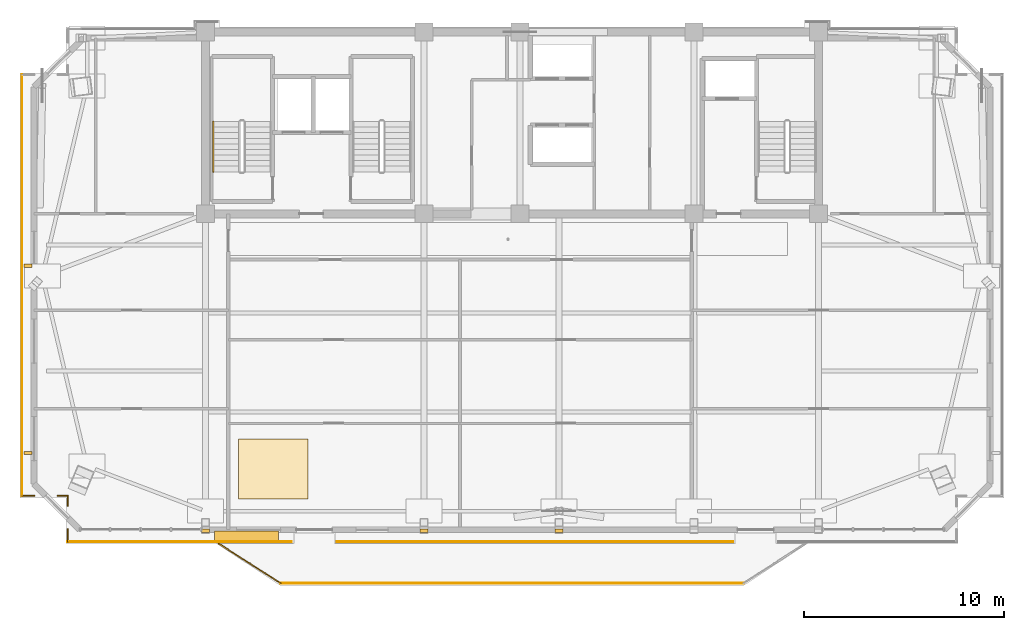
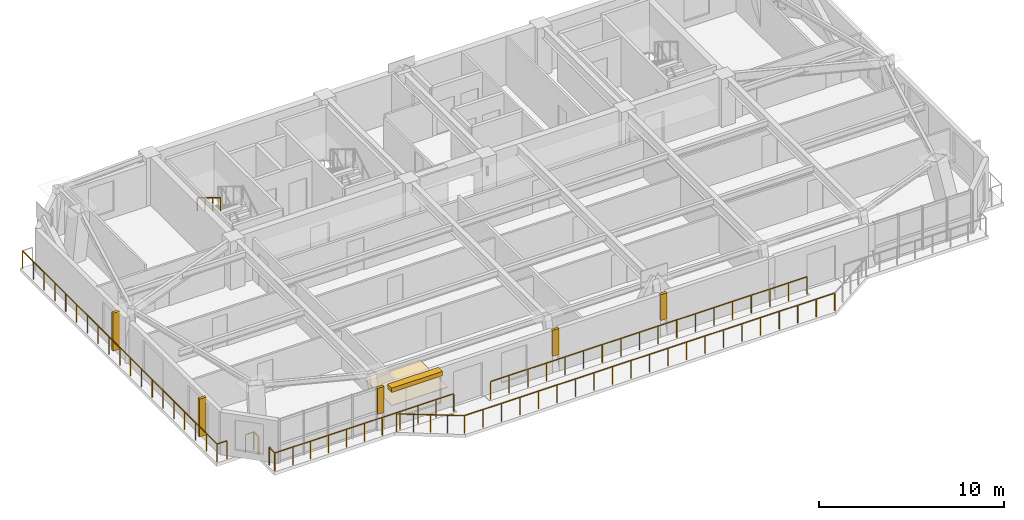
# One storey, part 10 of 13: 10 railings, 4 coverings, 3 shading devices.
"""IFC4 building model written with IfcOpenShell, lengths in metres."""

from ifc_helpers import new_model, si_unit, direction, frame, origin, origin_2d, place, context, subcontext, project, spatial, polyline, rectangle, outline, extrude, source, transform, mapped, material, layer, layer_set, type_object, element, save


model = new_model("IFC4")

# Units and contexts
model_context = context("Model", 3, precision=1e-05, world=origin(), true_north=direction((0.0, 1.0)))
body_context = subcontext(model_context, "Body", "Model", "MODEL_VIEW")
ifc_project = project(units=[si_unit("LENGTHUNIT", "METRE"), si_unit("AREAUNIT", "SQUARE_METRE"), si_unit("VOLUMEUNIT", "CUBIC_METRE"), si_unit("PLANEANGLEUNIT", "RADIAN"), si_unit("MASSUNIT", "GRAM", prefix="KILO")], contexts=[model_context])

# Site, building, storey
site_placement = place(None, origin())
site = spatial("IfcSite", under=ifc_project, at=site_placement, CompositionType="ELEMENT")
building_placement = place(site_placement, origin())
building = spatial("IfcBuilding", under=site, at=building_placement, Name="Giltprow Tower", CompositionType="ELEMENT")
storey_placement = place(building_placement, frame((0.0, 0.0, 332.300048828125)))
storey = spatial("IfcBuildingStorey", under=building, at=storey_placement, Name="L86", CompositionType="ELEMENT", Elevation=332.300048828125)

# Coverings
ifc_material_1 = material(Name="Engineered oak", Category="wood")
ifc_layer_1 = layer(ifc_material_1, 0.02490234375, Name="Engineered oak")
ifc_layer_set_1 = layer_set([ifc_layer_1], Name="Engineered oak")
covering_type_1 = type_object("IfcCoveringType", Name="COV-FLR-TIMBER", PredefinedType="FLOORING", material=ifc_layer_set_1)
covering_1_placement = place(storey_placement, origin())
element("IfcCovering", 1, at=covering_1_placement, inside=storey, type_object=covering_type_1, Name="L86 Residence Oak Parquet Flooring", PredefinedType="FLOORING", context=body_context, shape_type="SweptSolid", body=[
    extrude(outline(polyline([(21.5, 23.16796875), (25.0, 23.16796875), (25.0, 26.16796875), (21.5, 26.16796875), (21.5, 23.16796875)])), origin(), (0.0, 0.0, 1.0), 0.02490234375),
])
ifc_material_2 = material(Name="Anodized bronze", Category="metal")
ifc_layer_2 = layer(ifc_material_2, 0.0400390625, Name="Anodized bronze")
ifc_layer_set_2 = layer_set([ifc_layer_2], Name="Anodized bronze")
covering_type_2 = type_object("IfcCoveringType", Name="COV-SOFFIT-BRONZE", PredefinedType="CLADDING", material=ifc_layer_set_2)
covering_2_placement = place(storey_placement, frame((0.0, 0.0, 1.099853515625)))
element("IfcCovering", 2, at=covering_2_placement, inside=storey, type_object=covering_type_2, Name="L86 Setback Pier Closure Cladding S-1", PredefinedType="CLADDING", context=body_context, shape_type="SweptSolid", body=[
    extrude(outline(polyline([(19.64990234375, 21.49609375), (20.050048828125, 21.49609375), (20.050048828125, 21.656005859375), (19.64990234375, 21.656005859375), (19.64990234375, 21.49609375)])), origin(), (0.0, 0.0, 1.0), 1.715087890625),
])
covering_3_placement = place(storey_placement, frame((0.0, 0.0, 1.099853515625)))
element("IfcCovering", 3, at=covering_3_placement, inside=storey, type_object=covering_type_2, Name="L86 Setback Pier Closure Cladding S-2", PredefinedType="CLADDING", context=body_context, shape_type="SweptSolid", body=[
    extrude(outline(polyline([(30.60009765625, 21.49609375), (31.0, 21.49609375), (31.0, 21.656005859375), (30.60009765625, 21.656005859375), (30.60009765625, 21.49609375)])), origin(), (0.0, 0.0, 1.0), 1.715087890625),
])
covering_4_placement = place(storey_placement, frame((0.0, 0.0, 1.099853515625)))
element("IfcCovering", 4, at=covering_4_placement, inside=storey, type_object=covering_type_2, Name="L86 Setback Pier Closure Cladding S-3", PredefinedType="CLADDING", context=body_context, shape_type="SweptSolid", body=[
    extrude(outline(polyline([(37.35009765625, 21.49609375), (37.75, 21.49609375), (37.75, 21.656005859375), (37.35009765625, 21.656005859375), (37.35009765625, 21.49609375)])), origin(), (0.0, 0.0, 1.0), 1.715087890625),
])

# Railings
railing_type_1 = type_object("IfcRailingType", Name="RAIL-BALC-GUARD-1200", PredefinedType="BALUSTRADE", material=ifc_material_2)
railing_1_placement = place(storey_placement, frame((20.52001953125, 20.93603515625, 0.0)))
element("IfcRailing", 5, at=railing_1_placement, inside=storey, type_object=railing_type_1, Name="L86 Waterfront Balcony Balustrade Seg 1", PredefinedType="BALUSTRADE", context=body_context, shape_type="SweptSolid", body=[
    extrude(rectangle(XDim=0.048095703125, YDim=0.048095703125, at=origin_2d()), frame((0.0, 0.0, 1.17578125), z_axis=(0.84277487735, -0.538266203757, 0.0), x_axis=(0.538266203757, 0.84277487735, 0.0)), (0.0, 0.0, 1.0), 3.678466796875),
    extrude(rectangle(XDim=0.0419921875, YDim=0.0419921875, at=origin_2d()), origin(), (0.0, 0.0, 1.0), 1.15185546875),
    extrude(rectangle(XDim=0.0419921875, YDim=0.0419921875, at=origin_2d()), frame((0.77490234375, -0.4951171875, 0.0)), (0.0, 0.0, 1.0), 1.15185546875),
    extrude(rectangle(XDim=0.0419921875, YDim=0.0419921875, at=origin_2d()), frame((1.550048828125, -0.989990234375, 0.0)), (0.0, 0.0, 1.0), 1.15185546875),
    extrude(rectangle(XDim=0.0419921875, YDim=0.0419921875, at=origin_2d()), frame((2.3251953125, -1.48486328125, 0.0)), (0.0, 0.0, 1.0), 1.15185546875),
    extrude(rectangle(XDim=0.0419921875, YDim=0.0419921875, at=origin_2d()), frame((3.10009765625, -1.97998046875, 0.0)), (0.0, 0.0, 1.0), 1.15185546875),
])
railing_2_placement = place(storey_placement, frame((23.6201171875, 18.9560546875, 0.0)))
element("IfcRailing", 6, at=railing_2_placement, inside=storey, type_object=railing_type_1, Name="L86 Waterfront Balcony Balustrade Seg 2", PredefinedType="BALUSTRADE", context=body_context, shape_type="SweptSolid", body=[
    extrude(rectangle(XDim=0.048095703125, YDim=0.048095703125, at=origin_2d()), frame((0.0, 0.0, 1.17578125), z_axis=(1.0, 0.0, 0.0), x_axis=(0.0, 1.0, 0.0)), (0.0, 0.0, 1.0), 23.159912109375),
    extrude(rectangle(XDim=0.0419921875, YDim=0.0419921875, at=origin_2d()), origin(), (0.0, 0.0, 1.0), 1.15185546875),
    extrude(rectangle(XDim=0.0419921875, YDim=0.0419921875, at=origin_2d()), frame((1.157958984375, 0.0, 0.0)), (0.0, 0.0, 1.0), 1.15185546875),
    extrude(rectangle(XDim=0.0419921875, YDim=0.0419921875, at=origin_2d()), frame((2.31591796875, 0.0, 0.0)), (0.0, 0.0, 1.0), 1.15185546875),
    extrude(rectangle(XDim=0.0419921875, YDim=0.0419921875, at=origin_2d()), frame((3.473876953125, 0.0, 0.0)), (0.0, 0.0, 1.0), 1.15185546875),
    extrude(rectangle(XDim=0.0419921875, YDim=0.0419921875, at=origin_2d()), frame((4.632080078125, 0.0, 0.0)), (0.0, 0.0, 1.0), 1.15185546875),
    extrude(rectangle(XDim=0.0419921875, YDim=0.0419921875, at=origin_2d()), frame((5.7900390625, 0.0, 0.0)), (0.0, 0.0, 1.0), 1.15185546875),
    extrude(rectangle(XDim=0.0419921875, YDim=0.0419921875, at=origin_2d()), frame((6.947998046875, 0.0, 0.0)), (0.0, 0.0, 1.0), 1.15185546875),
    extrude(rectangle(XDim=0.0419921875, YDim=0.0419921875, at=origin_2d()), frame((8.10595703125, 0.0, 0.0)), (0.0, 0.0, 1.0), 1.15185546875),
    extrude(rectangle(XDim=0.0419921875, YDim=0.0419921875, at=origin_2d()), frame((9.263916015625, 0.0, 0.0)), (0.0, 0.0, 1.0), 1.15185546875),
    extrude(rectangle(XDim=0.0419921875, YDim=0.0419921875, at=origin_2d()), frame((10.421875, 0.0, 0.0)), (0.0, 0.0, 1.0), 1.15185546875),
    extrude(rectangle(XDim=0.0419921875, YDim=0.0419921875, at=origin_2d()), frame((11.580078125, 0.0, 0.0)), (0.0, 0.0, 1.0), 1.15185546875),
    extrude(rectangle(XDim=0.0419921875, YDim=0.0419921875, at=origin_2d()), frame((12.738037109375, 0.0, 0.0)), (0.0, 0.0, 1.0), 1.15185546875),
    extrude(rectangle(XDim=0.0419921875, YDim=0.0419921875, at=origin_2d()), frame((13.89599609375, 0.0, 0.0)), (0.0, 0.0, 1.0), 1.15185546875),
    extrude(rectangle(XDim=0.0419921875, YDim=0.0419921875, at=origin_2d()), frame((15.053955078125, 0.0, 0.0)), (0.0, 0.0, 1.0), 1.15185546875),
    extrude(rectangle(XDim=0.0419921875, YDim=0.0419921875, at=origin_2d()), frame((16.2119140625, 0.0, 0.0)), (0.0, 0.0, 1.0), 1.15185546875),
    extrude(rectangle(XDim=0.0419921875, YDim=0.0419921875, at=origin_2d()), frame((17.369873046875, 0.0, 0.0)), (0.0, 0.0, 1.0), 1.15185546875),
    extrude(rectangle(XDim=0.0419921875, YDim=0.0419921875, at=origin_2d()), frame((18.52783203125, 0.0, 0.0)), (0.0, 0.0, 1.0), 1.15185546875),
    extrude(rectangle(XDim=0.0419921875, YDim=0.0419921875, at=origin_2d()), frame((19.68603515625, 0.0, 0.0)), (0.0, 0.0, 1.0), 1.15185546875),
    extrude(rectangle(XDim=0.0419921875, YDim=0.0419921875, at=origin_2d()), frame((20.843994140625, 0.0, 0.0)), (0.0, 0.0, 1.0), 1.15185546875),
    extrude(rectangle(XDim=0.0419921875, YDim=0.0419921875, at=origin_2d()), frame((22.001953125, 0.0, 0.0)), (0.0, 0.0, 1.0), 1.15185546875),
    extrude(rectangle(XDim=0.0419921875, YDim=0.0419921875, at=origin_2d()), frame((23.159912109375, 0.0, 0.0)), (0.0, 0.0, 1.0), 1.15185546875),
])
railing_3_placement = place(storey_placement, frame((46.25, 21.035888671875, 0.0)))
element("IfcRailing", 7, at=railing_3_placement, inside=storey, type_object=railing_type_1, Name="L86 Corner Apron Edge Balustrade 7", PredefinedType="BALUSTRADE", context=body_context, shape_type="SweptSolid", body=[
    extrude(rectangle(XDim=0.048095703125, YDim=0.048095703125, at=origin_2d()), frame((0.0, 0.0, 1.17578125), z_axis=(-1.0, 0.0, 0.0), x_axis=(0.0, -1.0, 0.0)), (0.0, 0.0, 1.0), 19.800048828125),
    extrude(rectangle(XDim=0.0419921875, YDim=0.0419921875, at=origin_2d()), origin(), (0.0, 0.0, 1.0), 1.15185546875),
    extrude(rectangle(XDim=0.0419921875, YDim=0.0419921875, at=origin_2d()), frame((-1.164794921875, 0.0, 0.0)), (0.0, 0.0, 1.0), 1.15185546875),
    extrude(rectangle(XDim=0.0419921875, YDim=0.0419921875, at=origin_2d()), frame((-2.329345703125, 0.0, 0.0)), (0.0, 0.0, 1.0), 1.15185546875),
    extrude(rectangle(XDim=0.0419921875, YDim=0.0419921875, at=origin_2d()), frame((-3.494140625, 0.0, 0.0)), (0.0, 0.0, 1.0), 1.15185546875),
    extrude(rectangle(XDim=0.0419921875, YDim=0.0419921875, at=origin_2d()), frame((-4.658935546875, 0.0, 0.0)), (0.0, 0.0, 1.0), 1.15185546875),
    extrude(rectangle(XDim=0.0419921875, YDim=0.0419921875, at=origin_2d()), frame((-5.823486328125, 0.0, 0.0)), (0.0, 0.0, 1.0), 1.15185546875),
    extrude(rectangle(XDim=0.0419921875, YDim=0.0419921875, at=origin_2d()), frame((-6.98828125, 0.0, 0.0)), (0.0, 0.0, 1.0), 1.15185546875),
    extrude(rectangle(XDim=0.0419921875, YDim=0.0419921875, at=origin_2d()), frame((-8.153076171875, 0.0, 0.0)), (0.0, 0.0, 1.0), 1.15185546875),
    extrude(rectangle(XDim=0.0419921875, YDim=0.0419921875, at=origin_2d()), frame((-9.317626953125, 0.0, 0.0)), (0.0, 0.0, 1.0), 1.15185546875),
    extrude(rectangle(XDim=0.0419921875, YDim=0.0419921875, at=origin_2d()), frame((-10.482421875, 0.0, 0.0)), (0.0, 0.0, 1.0), 1.15185546875),
    extrude(rectangle(XDim=0.0419921875, YDim=0.0419921875, at=origin_2d()), frame((-11.64697265625, 0.0, 0.0)), (0.0, 0.0, 1.0), 1.15185546875),
    extrude(rectangle(XDim=0.0419921875, YDim=0.0419921875, at=origin_2d()), frame((-12.811767578125, 0.0, 0.0)), (0.0, 0.0, 1.0), 1.15185546875),
    extrude(rectangle(XDim=0.0419921875, YDim=0.0419921875, at=origin_2d()), frame((-13.9765625, 0.0, 0.0)), (0.0, 0.0, 1.0), 1.15185546875),
    extrude(rectangle(XDim=0.0419921875, YDim=0.0419921875, at=origin_2d()), frame((-15.14111328125, 0.0, 0.0)), (0.0, 0.0, 1.0), 1.15185546875),
    extrude(rectangle(XDim=0.0419921875, YDim=0.0419921875, at=origin_2d()), frame((-16.305908203125, 0.0, 0.0)), (0.0, 0.0, 1.0), 1.15185546875),
    extrude(rectangle(XDim=0.0419921875, YDim=0.0419921875, at=origin_2d()), frame((-17.470703125, 0.0, 0.0)), (0.0, 0.0, 1.0), 1.15185546875),
    extrude(rectangle(XDim=0.0419921875, YDim=0.0419921875, at=origin_2d()), frame((-18.63525390625, 0.0, 0.0)), (0.0, 0.0, 1.0), 1.15185546875),
    extrude(rectangle(XDim=0.0419921875, YDim=0.0419921875, at=origin_2d()), frame((-19.800048828125, 0.0, 0.0)), (0.0, 0.0, 1.0), 1.15185546875),
])
railing_4_placement = place(storey_placement, frame((24.14990234375, 21.035888671875, 0.0)))
element("IfcRailing", 8, at=railing_4_placement, inside=storey, type_object=railing_type_1, Name="L86 Corner Apron Edge Balustrade 8", PredefinedType="BALUSTRADE", context=body_context, shape_type="SweptSolid", body=[
    extrude(rectangle(XDim=0.048095703125, YDim=0.048095703125, at=origin_2d()), frame((0.0, 0.0, 1.17578125), z_axis=(-1.0, 0.0, 0.0), x_axis=(0.0, -1.0, 0.0)), (0.0, 0.0, 1.0), 11.18798828125),
    extrude(rectangle(XDim=0.0419921875, YDim=0.0419921875, at=origin_2d()), origin(), (0.0, 0.0, 1.0), 1.15185546875),
    extrude(rectangle(XDim=0.0419921875, YDim=0.0419921875, at=origin_2d()), frame((-1.118896484375, 0.0, 0.0)), (0.0, 0.0, 1.0), 1.15185546875),
    extrude(rectangle(XDim=0.0419921875, YDim=0.0419921875, at=origin_2d()), frame((-2.237548828125, 0.0, 0.0)), (0.0, 0.0, 1.0), 1.15185546875),
    extrude(rectangle(XDim=0.0419921875, YDim=0.0419921875, at=origin_2d()), frame((-3.3564453125, 0.0, 0.0)), (0.0, 0.0, 1.0), 1.15185546875),
    extrude(rectangle(XDim=0.0419921875, YDim=0.0419921875, at=origin_2d()), frame((-4.47509765625, 0.0, 0.0)), (0.0, 0.0, 1.0), 1.15185546875),
    extrude(rectangle(XDim=0.0419921875, YDim=0.0419921875, at=origin_2d()), frame((-5.593994140625, 0.0, 0.0)), (0.0, 0.0, 1.0), 1.15185546875),
    extrude(rectangle(XDim=0.0419921875, YDim=0.0419921875, at=origin_2d()), frame((-6.712890625, 0.0, 0.0)), (0.0, 0.0, 1.0), 1.15185546875),
    extrude(rectangle(XDim=0.0419921875, YDim=0.0419921875, at=origin_2d()), frame((-7.83154296875, 0.0, 0.0)), (0.0, 0.0, 1.0), 1.15185546875),
    extrude(rectangle(XDim=0.0419921875, YDim=0.0419921875, at=origin_2d()), frame((-8.950439453125, 0.0, 0.0)), (0.0, 0.0, 1.0), 1.15185546875),
    extrude(rectangle(XDim=0.0419921875, YDim=0.0419921875, at=origin_2d()), frame((-10.069091796875, 0.0, 0.0)), (0.0, 0.0, 1.0), 1.15185546875),
    extrude(rectangle(XDim=0.0419921875, YDim=0.0419921875, at=origin_2d()), frame((-11.18798828125, 0.0, 0.0)), (0.0, 0.0, 1.0), 1.15185546875),
])
railing_5_placement = place(storey_placement, frame((12.9619140625, 21.035888671875, 0.0)))
element("IfcRailing", 9, at=railing_5_placement, inside=storey, type_object=railing_type_1, Name="L86 Corner Apron Edge Balustrade 9", PredefinedType="BALUSTRADE", context=body_context, shape_type="SweptSolid", body=[
    extrude(rectangle(XDim=0.048095703125, YDim=0.048095703125, at=origin_2d()), frame((0.0, 0.0, 1.17578125), z_axis=(0.0, 1.0, 0.0), x_axis=(-1.0, 0.0, 0.0)), (0.0, 0.0, 1.0), 0.6201171875),
    extrude(rectangle(XDim=0.0419921875, YDim=0.0419921875, at=origin_2d()), origin(), (0.0, 0.0, 1.0), 1.15185546875),
    extrude(rectangle(XDim=0.0419921875, YDim=0.0419921875, at=origin_2d()), frame((0.0, 0.6201171875, 0.0)), (0.0, 0.0, 1.0), 1.15185546875),
])
railing_6_placement = place(storey_placement, frame((12.9619140625, 22.81591796875, 0.0)))
element("IfcRailing", 10, at=railing_6_placement, inside=storey, type_object=railing_type_1, Name="L86 Corner Apron Edge Balustrade 10", PredefinedType="BALUSTRADE", context=body_context, shape_type="SweptSolid", body=[
    extrude(rectangle(XDim=0.048095703125, YDim=0.048095703125, at=origin_2d()), frame((0.0, 0.0, 1.17578125), z_axis=(0.0, 1.0, 0.0), x_axis=(-1.0, 0.0, 0.0)), (0.0, 0.0, 1.0), 0.511962890625),
    extrude(rectangle(XDim=0.0419921875, YDim=0.0419921875, at=origin_2d()), origin(), (0.0, 0.0, 1.0), 1.15185546875),
    extrude(rectangle(XDim=0.0419921875, YDim=0.0419921875, at=origin_2d()), frame((0.0, 0.511962890625, 0.0)), (0.0, 0.0, 1.0), 1.15185546875),
])
railing_7_placement = place(storey_placement, frame((12.9619140625, 23.327880859375, 0.0)))
element("IfcRailing", 11, at=railing_7_placement, inside=storey, type_object=railing_type_1, Name="L86 Corner Apron Edge Balustrade 11", PredefinedType="BALUSTRADE", context=body_context, shape_type="SweptSolid", body=[
    extrude(rectangle(XDim=0.048095703125, YDim=0.048095703125, at=origin_2d()), frame((0.0, 0.0, 1.17578125), z_axis=(-1.0, 0.0, 0.0), x_axis=(0.0, -1.0, 0.0)), (0.0, 0.0, 1.0), 0.511962890625),
    extrude(rectangle(XDim=0.0419921875, YDim=0.0419921875, at=origin_2d()), origin(), (0.0, 0.0, 1.0), 1.15185546875),
    extrude(rectangle(XDim=0.0419921875, YDim=0.0419921875, at=origin_2d()), frame((-0.511962890625, 0.0, 0.0)), (0.0, 0.0, 1.0), 1.15185546875),
])
railing_8_placement = place(storey_placement, frame((11.2900390625, 23.327880859375, 0.0)))
element("IfcRailing", 12, at=railing_8_placement, inside=storey, type_object=railing_type_1, Name="L86 Corner Apron Edge Balustrade 12", PredefinedType="BALUSTRADE", context=body_context, shape_type="SweptSolid", body=[
    extrude(rectangle(XDim=0.048095703125, YDim=0.048095703125, at=origin_2d()), frame((0.0, 0.0, 1.17578125), z_axis=(-1.0, 0.0, 0.0), x_axis=(0.0, -1.0, 0.0)), (0.0, 0.0, 1.0), 0.6201171875),
    extrude(rectangle(XDim=0.0419921875, YDim=0.0419921875, at=origin_2d()), origin(), (0.0, 0.0, 1.0), 1.15185546875),
    extrude(rectangle(XDim=0.0419921875, YDim=0.0419921875, at=origin_2d()), frame((-0.6201171875, 0.0, 0.0)), (0.0, 0.0, 1.0), 1.15185546875),
])
railing_9_placement = place(storey_placement, frame((10.669921875, 23.327880859375, 0.0)))
element("IfcRailing", 13, at=railing_9_placement, inside=storey, type_object=railing_type_1, Name="L86 Corner Apron Edge Balustrade 13", PredefinedType="BALUSTRADE", context=body_context, shape_type="SweptSolid", body=[
    extrude(rectangle(XDim=0.048095703125, YDim=0.048095703125, at=origin_2d()), frame((0.0, 0.0, 1.17578125), z_axis=(0.0, 1.0, 0.0), x_axis=(-1.0, 0.0, 0.0)), (0.0, 0.0, 1.0), 21.080078125),
    extrude(rectangle(XDim=0.0419921875, YDim=0.0419921875, at=origin_2d()), origin(), (0.0, 0.0, 1.0), 1.15185546875),
    extrude(rectangle(XDim=0.0419921875, YDim=0.0419921875, at=origin_2d()), frame((0.0, 1.171142578125, 0.0)), (0.0, 0.0, 1.0), 1.15185546875),
    extrude(rectangle(XDim=0.0419921875, YDim=0.0419921875, at=origin_2d()), frame((0.0, 2.34228515625, 0.0)), (0.0, 0.0, 1.0), 1.15185546875),
    extrude(rectangle(XDim=0.0419921875, YDim=0.0419921875, at=origin_2d()), frame((0.0, 3.513427734375, 0.0)), (0.0, 0.0, 1.0), 1.15185546875),
    extrude(rectangle(XDim=0.0419921875, YDim=0.0419921875, at=origin_2d()), frame((0.0, 4.6845703125, 0.0)), (0.0, 0.0, 1.0), 1.15185546875),
    extrude(rectangle(XDim=0.0419921875, YDim=0.0419921875, at=origin_2d()), frame((0.0, 5.85546875, 0.0)), (0.0, 0.0, 1.0), 1.15185546875),
    extrude(rectangle(XDim=0.0419921875, YDim=0.0419921875, at=origin_2d()), frame((0.0, 7.026611328125, 0.0)), (0.0, 0.0, 1.0), 1.15185546875),
    extrude(rectangle(XDim=0.0419921875, YDim=0.0419921875, at=origin_2d()), frame((0.0, 8.19775390625, 0.0)), (0.0, 0.0, 1.0), 1.15185546875),
    extrude(rectangle(XDim=0.0419921875, YDim=0.0419921875, at=origin_2d()), frame((0.0, 9.368896484375, 0.0)), (0.0, 0.0, 1.0), 1.15185546875),
    extrude(rectangle(XDim=0.0419921875, YDim=0.0419921875, at=origin_2d()), frame((0.0, 10.5400390625, 0.0)), (0.0, 0.0, 1.0), 1.15185546875),
    extrude(rectangle(XDim=0.0419921875, YDim=0.0419921875, at=origin_2d()), frame((0.0, 11.711181640625, 0.0)), (0.0, 0.0, 1.0), 1.15185546875),
    extrude(rectangle(XDim=0.0419921875, YDim=0.0419921875, at=origin_2d()), frame((0.0, 12.88232421875, 0.0)), (0.0, 0.0, 1.0), 1.15185546875),
    extrude(rectangle(XDim=0.0419921875, YDim=0.0419921875, at=origin_2d()), frame((0.0, 14.053466796875, 0.0)), (0.0, 0.0, 1.0), 1.15185546875),
    extrude(rectangle(XDim=0.0419921875, YDim=0.0419921875, at=origin_2d()), frame((0.0, 15.224609375, 0.0)), (0.0, 0.0, 1.0), 1.15185546875),
    extrude(rectangle(XDim=0.0419921875, YDim=0.0419921875, at=origin_2d()), frame((0.0, 16.3955078125, 0.0)), (0.0, 0.0, 1.0), 1.15185546875),
    extrude(rectangle(XDim=0.0419921875, YDim=0.0419921875, at=origin_2d()), frame((0.0, 17.566650390625, 0.0)), (0.0, 0.0, 1.0), 1.15185546875),
    extrude(rectangle(XDim=0.0419921875, YDim=0.0419921875, at=origin_2d()), frame((0.0, 18.73779296875, 0.0)), (0.0, 0.0, 1.0), 1.15185546875),
    extrude(rectangle(XDim=0.0419921875, YDim=0.0419921875, at=origin_2d()), frame((0.0, 19.908935546875, 0.0)), (0.0, 0.0, 1.0), 1.15185546875),
    extrude(rectangle(XDim=0.0419921875, YDim=0.0419921875, at=origin_2d()), frame((0.0, 21.080078125, 0.0)), (0.0, 0.0, 1.0), 1.15185546875),
])
railing_type_2 = type_object("IfcRailingType", Name="RAIL-STAIR-HAND-900", PredefinedType="HANDRAIL", material=ifc_material_2)
railing_10_placement = place(storey_placement, frame((20.25, 42.070068359375, 1.869873046875)))
element("IfcRailing", 14, at=railing_10_placement, inside=storey, type_object=railing_type_2, Name="L86 ST-1 stair handrail 2", PredefinedType="HANDRAIL", context=body_context, shape_type="SweptSolid", body=[
    extrude(rectangle(XDim=0.048095703125, YDim=0.048095703125, at=origin_2d()), frame((0.0, 0.0, 0.8759765625), z_axis=(0.0, -0.85478489116, 0.518982456201), x_axis=(1.0, 0.0, 0.0)), (0.0, 0.0, 1.0), 2.9482421875),
    extrude(rectangle(XDim=0.0419921875, YDim=0.0419921875, at=origin_2d()), origin(), (0.0, 0.0, 1.0), 0.851806640625),
    extrude(rectangle(XDim=0.0419921875, YDim=0.0419921875, at=origin_2d()), frame((0.0, -0.840087890625, 0.510009765625)), (0.0, 0.0, 1.0), 0.851806640625),
    extrude(rectangle(XDim=0.0419921875, YDim=0.0419921875, at=origin_2d()), frame((0.0, -1.679931640625, 1.02001953125)), (0.0, 0.0, 1.0), 0.851806640625),
    extrude(rectangle(XDim=0.0419921875, YDim=0.0419921875, at=origin_2d()), frame((0.0, -2.52001953125, 1.530029296875)), (0.0, 0.0, 1.0), 0.851806640625),
])

# Shading devices
shading_device_type_1 = type_object("IfcShadingDeviceType", Name="SHD-FIN-420", PredefinedType="USERDEFINED", material=ifc_material_2)
shared_shape_1 = source(origin(), body_context, "Body", "SweptSolid", [
    extrude(rectangle(XDim=0.419921875, YDim=0.159912109375, at=origin_2d()), origin(), (0.0, 0.0, 1.0), 2.5),
])
for number, where, z_axis, x_axis, name in (
    (15, (10.969970703125, 25.47998046875, 0.349853515625), (0.0, 0.0, 1.0), (1.0, 0.0, 0.0), "L86 W Bronze Vertical Fin 1-1"),
    (16, (10.969970703125, 34.843994140625, 0.349853515625), (0.0, 0.0, 1.0), (1.0, 0.0, 0.0), "L86 W Bronze Vertical Fin 2-1"),
):
    element("IfcShadingDevice", number, at=place(storey_placement, frame(where, z_axis=z_axis, x_axis=x_axis)), inside=storey, type_object=shading_device_type_1, Name=name, ObjectType="FIN", PredefinedType="USERDEFINED", context=body_context, shape_type="MappedRepresentation", body=[
        mapped(shared_shape_1, transform((0.0, 0.0, 0.0), x_axis=(1.0, 0.0, 0.0), y_axis=(0.0, 1.0, 0.0), z_axis=(0.0, 0.0, 1.0), scale=1.0)),
    ])
shading_device_type_2 = type_object("IfcShadingDeviceType", Name="SHD-LOUVRE-320", PredefinedType="JALOUSIE", material=ifc_material_2)
shared_shape_2 = source(origin(), body_context, "Body", "SweptSolid", [
    extrude(rectangle(XDim=3.199951171875, YDim=0.449951171875, at=origin_2d()), origin(), (0.0, 0.0, 1.0), 0.280029296875),
])
shading_device_placement = place(storey_placement, frame((21.89990234375, 21.3359375, 2.56005859375), z_axis=(0.0, 0.0, 1.0), x_axis=(1.0, 0.0, 0.0)))
element("IfcShadingDevice", 17, at=shading_device_placement, inside=storey, type_object=shading_device_type_2, Name="L86 Bronze Sunshade Louvre S-2", PredefinedType="JALOUSIE", context=body_context, shape_type="MappedRepresentation", body=[
    mapped(shared_shape_2, transform((0.0, 0.0, 0.0), x_axis=(1.0, 0.0, 0.0), y_axis=(0.0, 1.0, 0.0), z_axis=(0.0, 0.0, 1.0), scale=1.0)),
])

save(model, "model.ifc")
